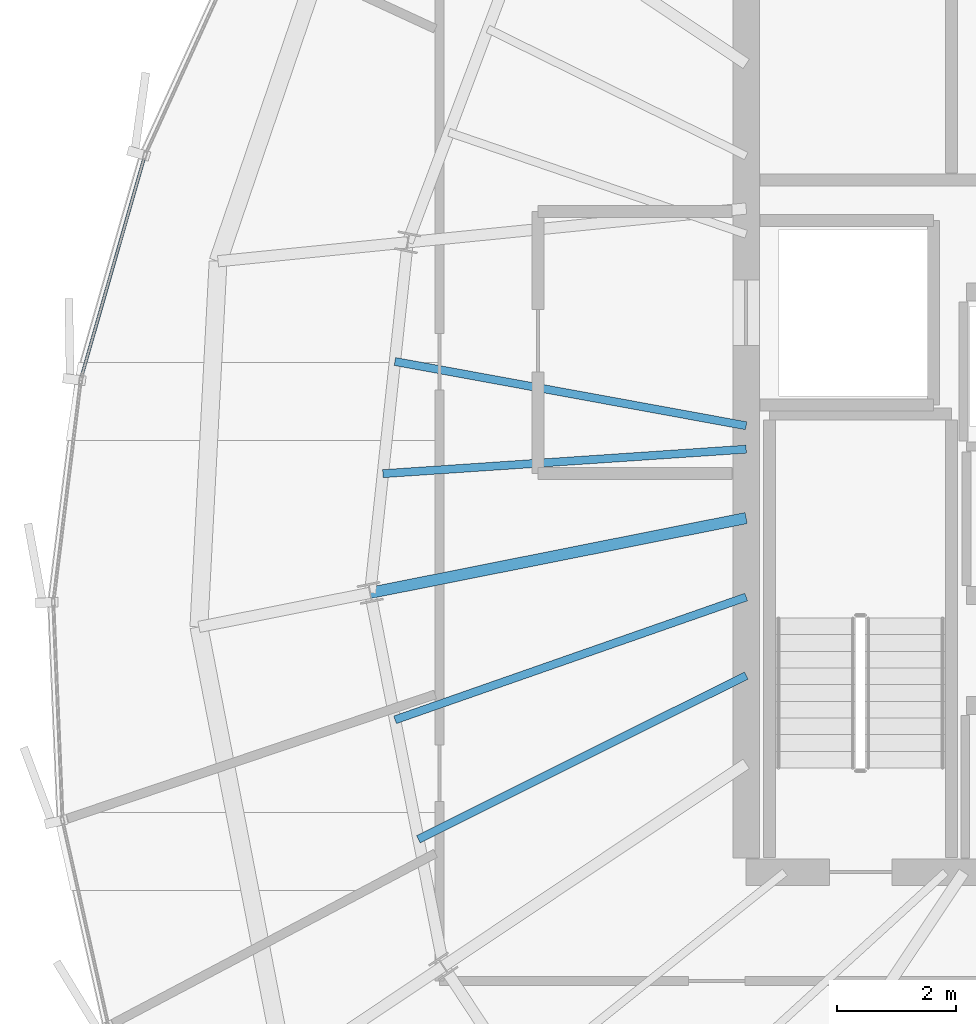
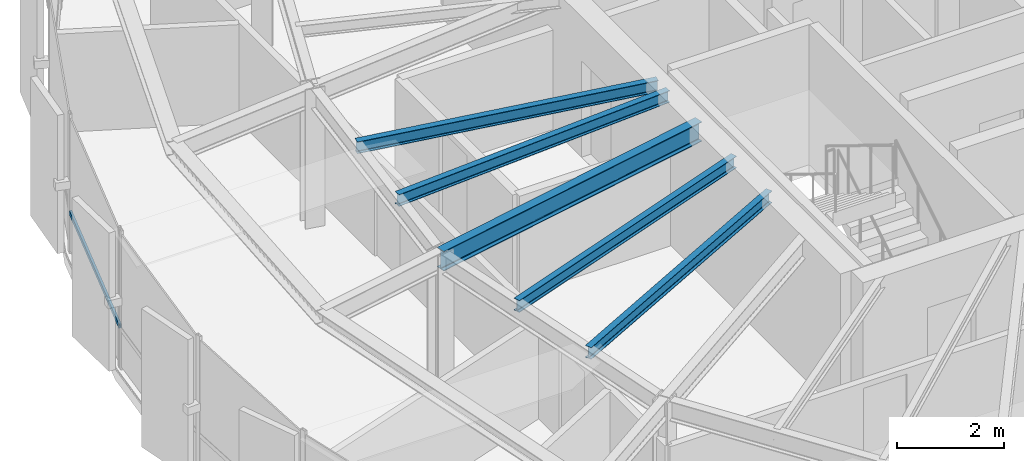
# One storey, part 10 of 35: 5 beams, 1 member, 1 element without a shape of its own.
"""IFC4 building model written with IfcOpenShell, lengths in metres."""

from ifc_helpers import new_model, si_unit, direction, frame, origin, origin_2d, place, context, subcontext, project, spatial, hollow_rectangle, i_section, extrude, source, transform, mapped, material, layer, layer_set, material_profile, profile_set, type_object, element, aggregate, save


model = new_model("IFC4")

# Units and contexts
model_context = context("Model", 3, precision=1e-05, world=origin(), true_north=direction((0.0, 1.0)))
body_context = subcontext(model_context, "Body", "Model", "MODEL_VIEW")
ifc_project = project(units=[si_unit("LENGTHUNIT", "METRE"), si_unit("AREAUNIT", "SQUARE_METRE"), si_unit("VOLUMEUNIT", "CUBIC_METRE"), si_unit("PLANEANGLEUNIT", "RADIAN"), si_unit("MASSUNIT", "GRAM", prefix="KILO"), si_unit("THERMODYNAMICTEMPERATUREUNIT", "KELVIN")], contexts=[model_context])

# Site, building, storey
site_placement = place(None, origin())
site = spatial("IfcSite", under=ifc_project, at=site_placement, CompositionType="ELEMENT")
building_placement = place(site_placement, origin())
building = spatial("IfcBuilding", under=site, at=building_placement, Name="Kethvar Cultural Tower", CompositionType="ELEMENT")
storey_placement = place(building_placement, frame((0.0, 0.0, 249.10009765625)))
storey = spatial("IfcBuildingStorey", under=building, at=storey_placement, Name="L65", CompositionType="ELEMENT", Elevation=249.10009765625)

# Beams
ifc_material_1 = material(Name="Steel S355J2", Category="steel")
ifc_material_profile_1 = material_profile(ifc_material_1, i_section(OverallWidth=0.18994140625, OverallDepth=0.449951171875, WebThickness=0.009521484375, FlangeThickness=0.0146484375, FilletRadius=0.02099609375, at=origin_2d()), Name="Steel S355J2 — IPE450")
ifc_profile_set_1 = profile_set([ifc_material_profile_1], Name="Steel S355J2 — IPE450")
beam_type_1 = type_object("IfcBeamType", Name="BM-IPE450", PredefinedType="BEAM", material=ifc_profile_set_1)
shared_shape_1 = source(origin(), body_context, "Body", "SweptSolid", [
    extrude(i_section(OverallWidth=0.18994140625, OverallDepth=0.449951171875, WebThickness=0.009521484375, FlangeThickness=0.0146484375, FilletRadius=0.02099609375, at=origin_2d()), origin(), (0.0, 0.0, 1.0), 6.440673828125),
])
beam_1_placement = place(storey_placement, frame((38.0, 26.049560546875, 2.98291015625), z_axis=(-0.980782804096, -0.195102770839, 0.0), x_axis=(0.195102770839, -0.980782804096, 0.0)))
element("IfcBeam", 1, at=beam_1_placement, inside=storey, type_object=beam_type_1, Name="L65 Primary Radial Beam RB-09", PredefinedType="BEAM", context=body_context, shape_type="MappedRepresentation", body=[
    mapped(shared_shape_1, transform((0.0, 0.0, 0.0), scale=1.0)),
])
ifc_material_profile_2 = material_profile(ifc_material_1, i_section(OverallWidth=0.135009765625, OverallDepth=0.27001953125, WebThickness=0.006591796875, FlangeThickness=0.01025390625, FilletRadius=0.014892578125, at=origin_2d()), Name="Steel S355J2 — IPE270")
ifc_profile_set_2 = profile_set([ifc_material_profile_2], Name="Steel S355J2 — IPE270")
beam_type_2 = type_object("IfcBeamType", Name="BM-J270", PredefinedType="JOIST", material=ifc_profile_set_2)
shared_shape_2 = source(origin(), body_context, "Body", "SweptSolid", [
    extrude(i_section(OverallWidth=0.135009765625, OverallDepth=0.27001953125, WebThickness=0.006591796875, FlangeThickness=0.01025390625, FilletRadius=0.014892578125, at=origin_2d()), origin(), (0.0, 0.0, 1.0), 5.99951171875),
])
beam_2_placement = place(storey_placement, frame((38.0, 27.60009765625, 3.072998046875), z_axis=(-0.983676616141, 0.179945310742, 0.0), x_axis=(-0.179945310742, -0.983676616141, 0.0)))
element("IfcBeam", 2, at=beam_2_placement, inside=storey, type_object=beam_type_2, Name="L65 Composite Floor Joist J-08A", PredefinedType="JOIST", context=body_context, shape_type="MappedRepresentation", body=[
    mapped(shared_shape_2, transform((0.0, 0.0, 0.0), scale=1.0)),
])
shared_shape_3 = source(origin(), body_context, "Body", "SweptSolid", [
    extrude(i_section(OverallWidth=0.135009765625, OverallDepth=0.27001953125, WebThickness=0.006591796875, FlangeThickness=0.01025390625, FilletRadius=0.014892578125, at=origin_2d()), origin(), (0.0, 0.0, 1.0), 6.116943359375),
])
beam_3_placement = place(storey_placement, frame((38.0, 27.206787109375, 3.072998046875), z_axis=(-0.997733289627, -0.067292516454, 0.0), x_axis=(0.067292516454, -0.997733289627, 0.0)))
element("IfcBeam", 3, at=beam_3_placement, inside=storey, type_object=beam_type_2, Name="L65 Composite Floor Joist J-08B", PredefinedType="JOIST", context=body_context, shape_type="MappedRepresentation", body=[
    mapped(shared_shape_3, transform((0.0, 0.0, 0.0), scale=1.0)),
])
shared_shape_4 = source(origin(), body_context, "Body", "SweptSolid", [
    extrude(i_section(OverallWidth=0.135009765625, OverallDepth=0.27001953125, WebThickness=0.006591796875, FlangeThickness=0.01025390625, FilletRadius=0.014892578125, at=origin_2d()), origin(), (0.0, 0.0, 1.0), 6.248779296875),
])
beam_4_placement = place(storey_placement, frame((38.0, 24.722900390625, 3.072998046875), z_axis=(-0.943960031743, -0.330059780148, 0.0), x_axis=(0.330059780148, -0.943960031743, 0.0)))
element("IfcBeam", 4, at=beam_4_placement, inside=storey, type_object=beam_type_2, Name="L65 Composite Floor Joist J-09A", PredefinedType="JOIST", context=body_context, shape_type="MappedRepresentation", body=[
    mapped(shared_shape_4, transform((0.0, 0.0, 0.0), scale=1.0)),
])
shared_shape_5 = source(origin(), body_context, "Body", "SweptSolid", [
    extrude(i_section(OverallWidth=0.135009765625, OverallDepth=0.27001953125, WebThickness=0.006591796875, FlangeThickness=0.01025390625, FilletRadius=0.014892578125, at=origin_2d()), origin(), (0.0, 0.0, 1.0), 6.154052734375),
])
beam_5_placement = place(storey_placement, frame((38.0, 23.40380859375, 3.072998046875), z_axis=(-0.89458581954, -0.446896197655, 0.0), x_axis=(0.446896197655, -0.89458581954, 0.0)))
element("IfcBeam", 5, at=beam_5_placement, inside=storey, type_object=beam_type_2, Name="L65 Composite Floor Joist J-09B", PredefinedType="JOIST", context=body_context, shape_type="MappedRepresentation", body=[
    mapped(shared_shape_5, transform((0.0, 0.0, 0.0), scale=1.0)),
])

# Curtain wall, member
ifc_material_2 = material(Name="Aluminium 6063-T6", Category="aluminium")
ifc_layer = layer(ifc_material_2, 0.179931640625, Name="Aluminium 6063-T6", Category="aluminium")
ifc_layer_set = layer_set([ifc_layer], Name="Aluminium 6063-T6 (180 mm)")
curtain_wall_type = type_object("IfcCurtainWallType", Name="CW-SYS-05-Z56", PredefinedType="NOTDEFINED", material=ifc_layer_set)
curtain_wall_placement = place(storey_placement, origin())
curtain_wall = element("IfcCurtainWall", 6, at=curtain_wall_placement, inside=storey, type_object=curtain_wall_type, Name="L65 Curtain Wall Run 02", PredefinedType="NOTDEFINED")
ifc_material_profile_3 = material_profile(ifc_material_2, hollow_rectangle(XDim=0.050048828125, YDim=0.10009765625, WallThickness=0.00390625, at=origin_2d()), Name="Aluminium 6063-T6 — RHS100x50x4")
ifc_profile_set_3 = profile_set([ifc_material_profile_3], Name="Aluminium 6063-T6 — RHS100x50x4")
member_type = type_object("IfcMemberType", Name="CW-SYS-05-Z56-TRN", PredefinedType="USERDEFINED", material=ifc_profile_set_3)
shared_shape_6 = source(origin(), body_context, "Body", "SweptSolid", [
    extrude(hollow_rectangle(XDim=0.050048828125, YDim=0.10009765625, WallThickness=0.00390625, at=origin_2d()), origin(), (0.0, 0.0, 1.0), 3.832275390625),
])
member_placement = place(storey_placement, frame((27.888427734375, 32.10595703125, 0.949951171875), z_axis=(-0.275267982246, -0.961367535311, 0.0), x_axis=(0.961367535311, -0.275267982246, 0.0)))
member = element("IfcMember", 7, at=member_placement, type_object=member_type, Name="CW-L65-R02 Transom 6", ObjectType="TRANSOM", PredefinedType="USERDEFINED", context=body_context, shape_type="MappedRepresentation", body=[
    mapped(shared_shape_6, transform((0.0, 0.0, 0.0), scale=1.0)),
])
aggregate(curtain_wall, [member])

save(model, "model.ifc")
